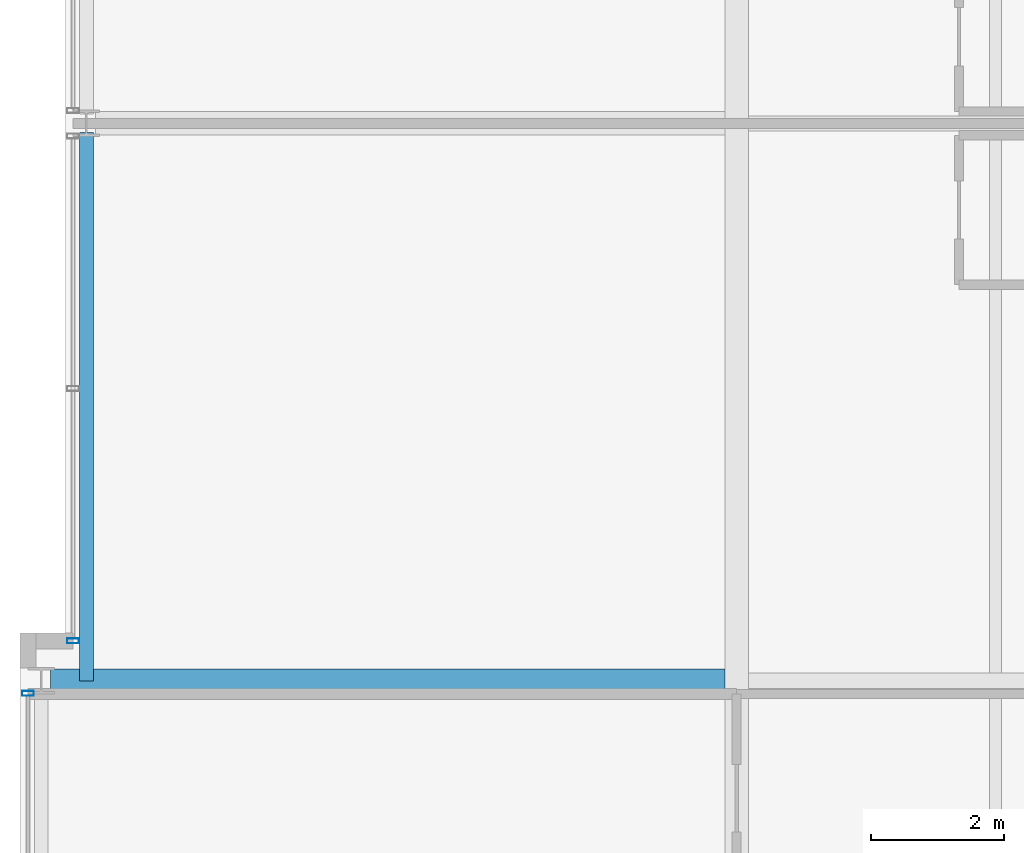
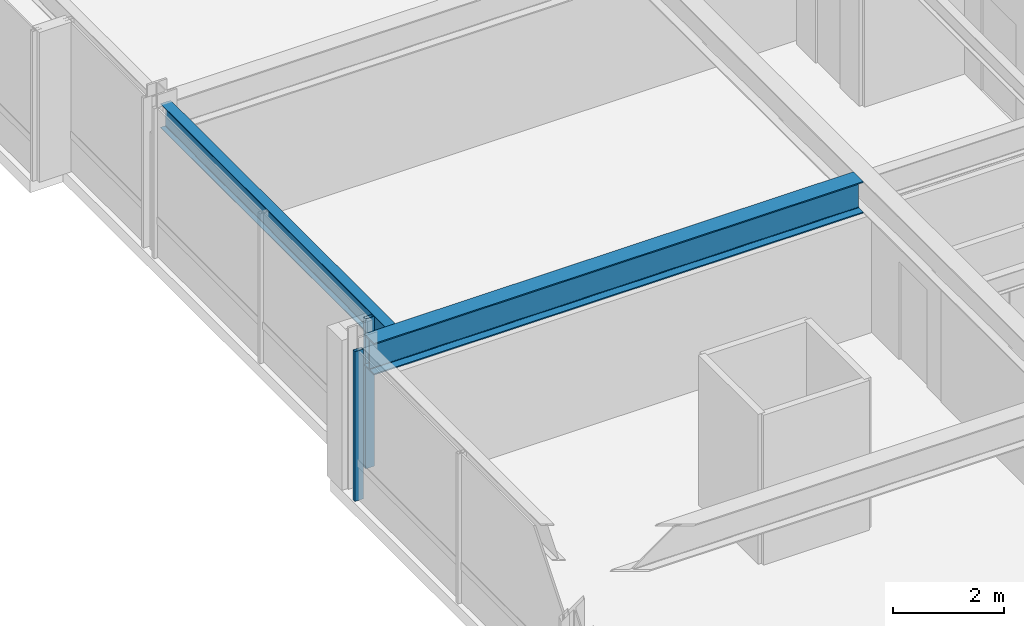
# One storey, part 7 of 32: 2 beams, 2 members, 2 elements without a shape of their own.
"""IFC4 building model written with IfcOpenShell, lengths in metres."""

import ifcopenshell
import ifcopenshell.guid

model = None  # the IFC model being written
_history = None  # IfcOwnerHistory: only IFC2X3 demands one
_inside = {}  # id of a spatial element -> (the spatial element, [elements in it])
_under = {}  # id of a project, library or spatial element -> (it, [spatial elements below it])
_declared = {}  # id of a project -> (the project, [libraries it declares])
_typed = {}  # id of a type object -> (the type object, [elements of that type])
_made_of = {}  # id of a material, layer set ... -> (it, [elements and type objects made of it])


def new_model(schema):
    """Start an empty IFC model of exactly this schema.

    Asked for "IFC4X3", IfcOpenShell would pick the latest addendum, in which some entities
    have other attributes; the version numbers below select the first issue.
    IFC2X3 requires an IfcOwnerHistory on every rooted entity: one is made here for all.
    """
    global model, _history
    if schema == "IFC4X3":
        model = ifcopenshell.file(schema_version=(4, 3, 0, 0))
    else:
        model = ifcopenshell.file(schema=schema)
    _inside.clear()
    _under.clear()
    _declared.clear()
    _typed.clear()
    _made_of.clear()
    _history = None
    if model.schema == "IFC2X3":
        org = make("IfcOrganization", Name="unknown")
        user = make(
            "IfcPersonAndOrganization",
            ThePerson=make("IfcPerson", FamilyName="unknown"),
            TheOrganization=org,
        )
        app = make(
            "IfcApplication",
            ApplicationDeveloper=org,
            Version="unknown",
            ApplicationFullName="unknown",
            ApplicationIdentifier="unknown",
        )
        _history = make(
            "IfcOwnerHistory",
            OwningUser=user,
            OwningApplication=app,
            ChangeAction="ADDED",
            CreationDate=0,
        )
    return model


def make(cls, **values):
    """One entity of the class cls with the attributes given. An attribute that is None is left unset."""
    return model.create_entity(
        cls, **{name: value for name, value in values.items() if value is not None}
    )


def rooted(cls, **values):
    """An entity with a GlobalId (a new one), such as an element, a storey or a relation."""
    return make(cls, GlobalId=ifcopenshell.guid.new(), OwnerHistory=_history, **values)


def si_unit(unit_type, name, prefix=None):
    """IfcSIUnit, for example si_unit("LENGTHUNIT", "METRE", prefix="MILLI")."""
    return make("IfcSIUnit", UnitType=unit_type, Prefix=prefix, Name=name)


def assignment(units):
    """IfcUnitAssignment: the units of a project."""
    return None if units is None else make("IfcUnitAssignment", Units=units)


def point(xyz):
    """IfcCartesianPoint."""
    return None if xyz is None else make("IfcCartesianPoint", Coordinates=xyz)


def direction(xyz):
    """IfcDirection."""
    return None if xyz is None else make("IfcDirection", DirectionRatios=xyz)


def frame(location, z_axis=None, x_axis=None):
    """IfcAxis2Placement3D, a coordinate frame: its origin and axes. An axis left out is left unset."""
    return make(
        "IfcAxis2Placement3D",
        Location=point(location),
        Axis=direction(z_axis),
        RefDirection=direction(x_axis),
    )


def frame_2d(location, x_axis=None):
    """IfcAxis2Placement2D, a coordinate frame in the plane: its origin and x axis."""
    return make(
        "IfcAxis2Placement2D", Location=point(location), RefDirection=direction(x_axis)
    )


def origin():
    """The frame at (0, 0, 0) with its axes left unset."""
    return frame((0.0, 0.0, 0.0))


def origin_2d():
    """The frame at (0, 0) in the plane with its x axis left unset."""
    return frame_2d((0.0, 0.0))


def place(relative_to, where):
    """IfcLocalPlacement: puts the frame where relative to a parent placement (None: the world)."""
    return make(
        "IfcLocalPlacement", PlacementRelTo=relative_to, RelativePlacement=where
    )


def context(
    kind, dimensions, precision=None, world=None, true_north=None, identifier=None
):
    """IfcGeometricRepresentationContext, for example the 3D "Model" context."""
    return make(
        "IfcGeometricRepresentationContext",
        ContextIdentifier=identifier,
        ContextType=kind,
        CoordinateSpaceDimension=dimensions,
        Precision=precision,
        WorldCoordinateSystem=world,
        TrueNorth=true_north,
    )


def subcontext(parent, identifier, kind, view, scale=None):
    """IfcGeometricRepresentationSubContext, for example "Body" below "Model"."""
    return make(
        "IfcGeometricRepresentationSubContext",
        ContextIdentifier=identifier,
        ContextType=kind,
        ParentContext=parent,
        TargetScale=scale,
        TargetView=view,
    )


def project(units=None, contexts=None):
    """IfcProject with its units and contexts."""
    return rooted(
        "IfcProject",
        Name="project",
        RepresentationContexts=contexts,
        UnitsInContext=assignment(units),
    )


def spatial(cls, under=None, at=None, **own):
    """A site, building, storey or space (cls), placed at a placement, below another one or the project."""
    s = rooted(cls, ObjectPlacement=at, **own)
    if under is not None:
        _under.setdefault(under.id(), (under, []))[1].append(s)
    return s


def profile(cls, at=None, kind="AREA", **sizes):
    """A parametric profile (cls). Its sizes go by their IFC names, for example OverallWidth=200.0."""
    return make(cls, ProfileType=kind, Position=at, **sizes)


def hollow_rectangle(**sizes):
    """IfcRectangleHollowProfileDef."""
    return profile("IfcRectangleHollowProfileDef", **sizes)


def i_section(**sizes):
    """IfcIShapeProfileDef."""
    return profile("IfcIShapeProfileDef", **sizes)


def extrude(swept, where, along, depth):
    """IfcExtrudedAreaSolid: the profile swept, set in the frame where, extruded along a direction by depth."""
    return make(
        "IfcExtrudedAreaSolid",
        SweptArea=swept,
        Position=where,
        ExtrudedDirection=direction(along),
        Depth=depth,
    )


def shape(context_of_items, identifier, shape_type, items):
    """IfcShapeRepresentation: the items that make up one representation, for example the "Body"."""
    return make(
        "IfcShapeRepresentation",
        ContextOfItems=context_of_items,
        RepresentationIdentifier=identifier,
        RepresentationType=shape_type,
        Items=items,
    )


def material(Name=None, Category=None):
    """IfcMaterial."""
    return make("IfcMaterial", Name=Name, Category=Category)


def layer(
    of_material, thickness, ventilated=None, Name=None, Category=None, Priority=None
):
    """IfcMaterialLayer: one layer of a wall or slab, of a material (None: an air gap)."""
    return make(
        "IfcMaterialLayer",
        Material=of_material,
        LayerThickness=thickness,
        IsVentilated=ventilated,
        Name=Name,
        Category=Category,
        Priority=Priority,
    )


def layer_set(layers, Name=None):
    """IfcMaterialLayerSet."""
    return make("IfcMaterialLayerSet", MaterialLayers=layers, LayerSetName=Name)


def material_profile(
    of_material, cross_section, Name=None, Category=None, Priority=None
):
    """IfcMaterialProfile: a cross section and its material."""
    return make(
        "IfcMaterialProfile",
        Name=Name,
        Material=of_material,
        Profile=cross_section,
        Priority=Priority,
        Category=Category,
    )


def profile_set(profiles, Name=None, composite=None):
    """IfcMaterialProfileSet."""
    return make(
        "IfcMaterialProfileSet",
        Name=Name,
        MaterialProfiles=profiles,
        CompositeProfile=composite,
    )


def made_of(thing, what):
    """Note that an element or type object is made of a material, layer set ...; save() writes the relation."""
    if what is not None:
        _made_of.setdefault(what.id(), (what, []))[1].append(thing)
    return thing


def type_object(cls, material=None, **own):
    """A type object (cls), such as IfcWallType, which elements share."""
    return made_of(rooted(cls, **own), material)


def element(
    cls,
    number,
    at=None,
    inside=None,
    cuts=None,
    type_object=None,
    material=None,
    context=None,
    identifier="Body",
    shape_type=None,
    held_by="IfcProductDefinitionShape",
    body=None,
    shapes=None,
    **own,
):
    """One element of the class cls, such as IfcWall. Its Tag is "e" and its number.

    at: its placement. inside: the storey or other place that contains it. cuts: it is an
    opening in that element (IfcRelVoidsElement). A single representation is given by context,
    identifier, shape_type and body (its items); several are given by shapes. held_by: the class
    of the entity that holds the representations. save() writes the other relations.
    """
    e = rooted(cls, Tag="e%d" % number, ObjectPlacement=at, **own)
    if body is not None:
        shapes = [shape(context, identifier, shape_type, body)]
    if shapes is not None:
        e.Representation = make(held_by, Representations=shapes)
    if inside is not None:
        _inside.setdefault(inside.id(), (inside, []))[1].append(e)
    if cuts is not None:
        rooted(
            "IfcRelVoidsElement", RelatingBuildingElement=cuts, RelatedOpeningElement=e
        )
    if type_object is not None:
        _typed.setdefault(type_object.id(), (type_object, []))[1].append(e)
    return made_of(e, material)


def aggregate(whole, parts):
    """IfcRelAggregates: a whole, such as a stair, and the parts it consists of."""
    return rooted("IfcRelAggregates", RelatingObject=whole, RelatedObjects=parts)


def save(model, path):
    """Write the relations noted so far, then the file.

    IfcRelAggregates (storeys below a building ...), IfcRelContainedInSpatialStructure (elements
    in a storey), IfcRelDefinesByType, IfcRelAssociatesMaterial and IfcRelDeclares: one each for
    every whole, place, type object, material and project.
    """
    for whole, parts in _under.values():
        aggregate(whole, parts)
    for where, things in _inside.values():
        rooted(
            "IfcRelContainedInSpatialStructure",
            RelatedElements=things,
            RelatingStructure=where,
        )
    for kind, things in _typed.values():
        rooted("IfcRelDefinesByType", RelatedObjects=things, RelatingType=kind)
    for what, things in _made_of.values():
        rooted("IfcRelAssociatesMaterial", RelatedObjects=things, RelatingMaterial=what)
    for by, libraries in _declared.values():
        rooted("IfcRelDeclares", RelatingContext=by, RelatedDefinitions=libraries)
    model.write(path)


model = new_model("IFC4")

# Units and contexts
model_context = context("Model", 3, precision=1e-05, world=origin(), true_north=direction((0.0, 1.0)))
body_context = subcontext(model_context, "Body", "Model", "MODEL_VIEW")
ifc_project = project(units=[si_unit("LENGTHUNIT", "METRE"), si_unit("AREAUNIT", "SQUARE_METRE"), si_unit("VOLUMEUNIT", "CUBIC_METRE"), si_unit("PLANEANGLEUNIT", "RADIAN"), si_unit("MASSUNIT", "GRAM", prefix="KILO")], contexts=[model_context])

# Site, building, storey
site_placement = place(None, origin())
site = spatial("IfcSite", under=ifc_project, at=site_placement, CompositionType="ELEMENT")
building_placement = place(site_placement, origin())
building = spatial("IfcBuilding", under=site, at=building_placement, Name="Drelvath Grand Hotel", CompositionType="ELEMENT")
storey_placement = place(building_placement, frame((0.0, 0.0, 193.0)))
storey = spatial("IfcBuildingStorey", under=building, at=storey_placement, Name="L50", CompositionType="ELEMENT", Elevation=193.0)

# Curtain wall, member
ifc_material_1 = material(Name="Brushed Pale-Silver Anodised Aluminium Frame", Category="aluminium")
ifc_layer = layer(ifc_material_1, 0.199951171875)
ifc_layer_set = layer_set([ifc_layer], Name="Brushed Pale-Silver Anodised Aluminium Frame")
curtain_wall_type = type_object("IfcCurtainWallType", Name="Stick Curtain Wall CW-04 Brushed Silver Upper-Mid", PredefinedType="NOTDEFINED", material=ifc_layer_set)
curtain_wall_1_placement = place(storey_placement, origin())
curtain_wall_1 = element("IfcCurtainWall", 1, at=curtain_wall_1_placement, inside=storey, type_object=curtain_wall_type, Name="L50 CW-04 Curtain Wall CW04-L50-WS2", PredefinedType="NOTDEFINED")
ifc_material_profile_1 = material_profile(ifc_material_1, hollow_rectangle(XDim=0.074951171875, YDim=0.179931640625, WallThickness=0.0048828125, at=origin_2d()), Name="HSS180X75X5")
ifc_profile_set_1 = profile_set([ifc_material_profile_1], Name="Brushed Pale-Silver Anodised Aluminium Frame")
member_type = type_object("IfcMemberType", Name="Curtain Wall Vertical Mullion CW-04 HSS180X75X5", PredefinedType="MULLION", material=ifc_profile_set_1)
member_1_placement = place(storey_placement, frame((-26.8798828125, 18.408447265625, 0.0), z_axis=(0.0, 0.0, 1.0), x_axis=(0.0, 1.0, 0.0)))
member_1 = element("IfcMember", 2, at=member_1_placement, type_object=member_type, Name="CW04-L50-WS2 Mullion 3", PredefinedType="MULLION", context=body_context, shape_type="SweptSolid", body=[
    extrude(hollow_rectangle(XDim=0.074951171875, YDim=0.179931640625, WallThickness=0.0048828125, at=origin_2d()), origin(), (0.0, 0.0, 1.0), 3.2900390625),
])
aggregate(curtain_wall_1, [member_1])

curtain_wall_2_placement = place(storey_placement, origin())
curtain_wall_2 = element("IfcCurtainWall", 3, at=curtain_wall_2_placement, inside=storey, type_object=curtain_wall_type, Name="L50 CW-04 Curtain Wall CW04-L50-WM1", PredefinedType="NOTDEFINED")
member_2_placement = place(storey_placement, frame((-26.199951171875, 19.199951171875, 0.0), z_axis=(0.0, 0.0, 1.0), x_axis=(0.0, 1.0, 0.0)))
member_2 = element("IfcMember", 4, at=member_2_placement, type_object=member_type, Name="CW04-L50-WM1 Mullion 1", PredefinedType="MULLION", context=body_context, shape_type="SweptSolid", body=[
    extrude(hollow_rectangle(XDim=0.074951171875, YDim=0.179931640625, WallThickness=0.0048828125, at=origin_2d()), origin(), (0.0, 0.0, 1.0), 3.2900390625),
])
aggregate(curtain_wall_2, [member_2])

# Beams
ifc_material_2 = material(Name="Steel ASTM A992 Gr 50", Category="steel")
ifc_material_profile_2 = material_profile(ifc_material_2, i_section(OverallWidth=0.210205078125, OverallDepth=0.53662109375, WebThickness=0.010986328125, FlangeThickness=0.017333984375, FilletRadius=0.01806640625, at=origin_2d()), Name="W21X68")
ifc_profile_set_2 = profile_set([ifc_material_profile_2], Name="Steel ASTM A992 Gr 50")
beam_type_1 = type_object("IfcBeamType", Name="Perimeter Spandrel Beam W21X68", PredefinedType="SPANDREL", material=ifc_profile_set_2)
beam_1_placement = place(storey_placement, frame((-26.0, 18.60009765625, 3.021484375), z_axis=(0.0, 1.0, 0.0), x_axis=(-1.0, 0.0, 0.0)))
element("IfcBeam", 5, at=beam_1_placement, inside=storey, type_object=beam_type_1, Name="L50 Spandrel West Mid S", PredefinedType="SPANDREL", context=body_context, shape_type="SweptSolid", body=[
    extrude(i_section(OverallWidth=0.210205078125, OverallDepth=0.53662109375, WebThickness=0.010986328125, FlangeThickness=0.017333984375, FilletRadius=0.01806640625, at=origin_2d()), origin(), (0.0, 0.0, 1.0), 8.260009765625),
])
ifc_material_profile_3 = material_profile(ifc_material_2, i_section(OverallWidth=0.354736328125, OverallDepth=0.695556640625, WebThickness=0.015380859375, FlangeThickness=0.025146484375, FilletRadius=0.02392578125, at=origin_2d()), Name="W27X146")
ifc_profile_set_3 = profile_set([ifc_material_profile_3], Name="Steel ASTM A992 Gr 50")
beam_type_2 = type_object("IfcBeamType", Name="Primary Floor Girder W27X146", PredefinedType="BEAM", material=ifc_profile_set_3)
beam_2_placement = place(storey_placement, frame((-26.5400390625, 18.60009765625, 2.9423828125), z_axis=(1.0, 0.0, 0.0), x_axis=(0.0, 1.0, 0.0)))
element("IfcBeam", 6, at=beam_2_placement, inside=storey, type_object=beam_type_2, Name="L50 West Wing Girder D", PredefinedType="BEAM", context=body_context, shape_type="SweptSolid", body=[
    extrude(i_section(OverallWidth=0.354736328125, OverallDepth=0.695556640625, WebThickness=0.015380859375, FlangeThickness=0.025146484375, FilletRadius=0.02392578125, at=origin_2d()), origin(), (0.0, 0.0, 1.0), 10.16259765625),
])

save(model, "model.ifc")
